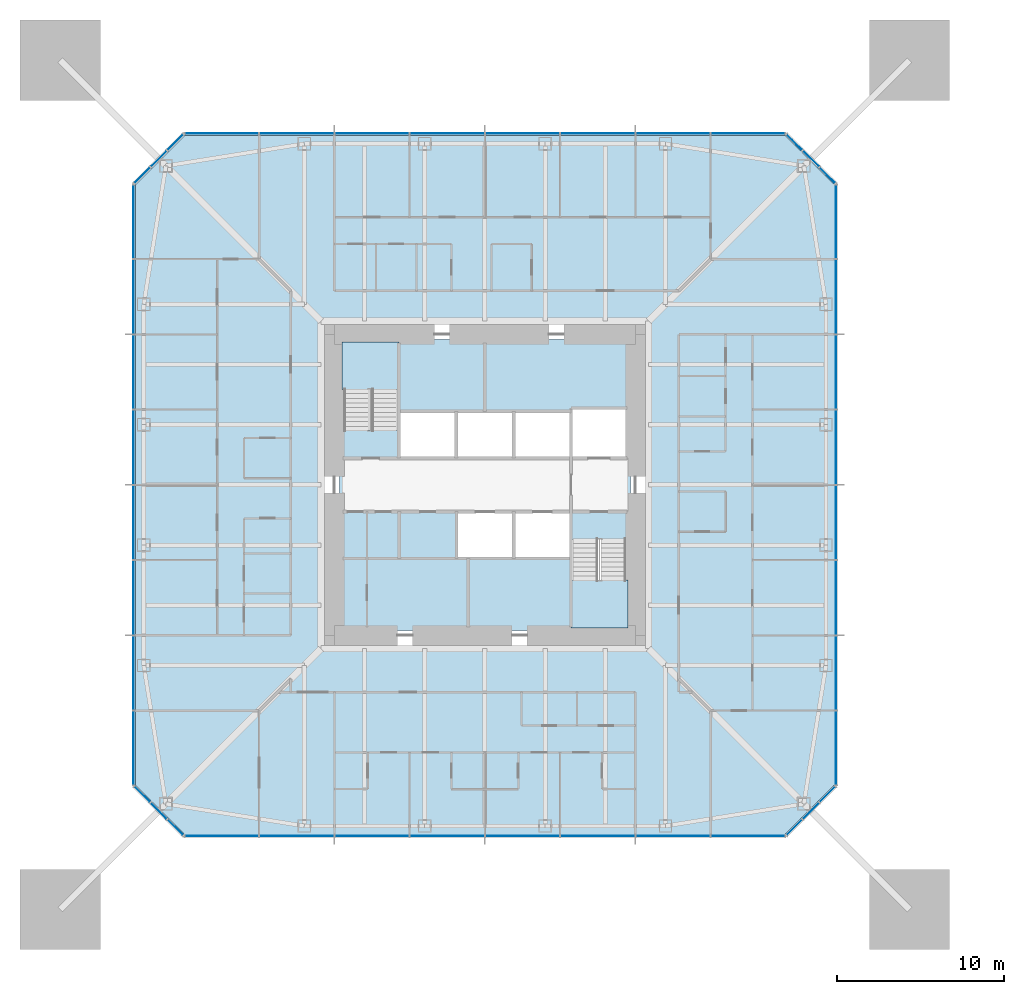
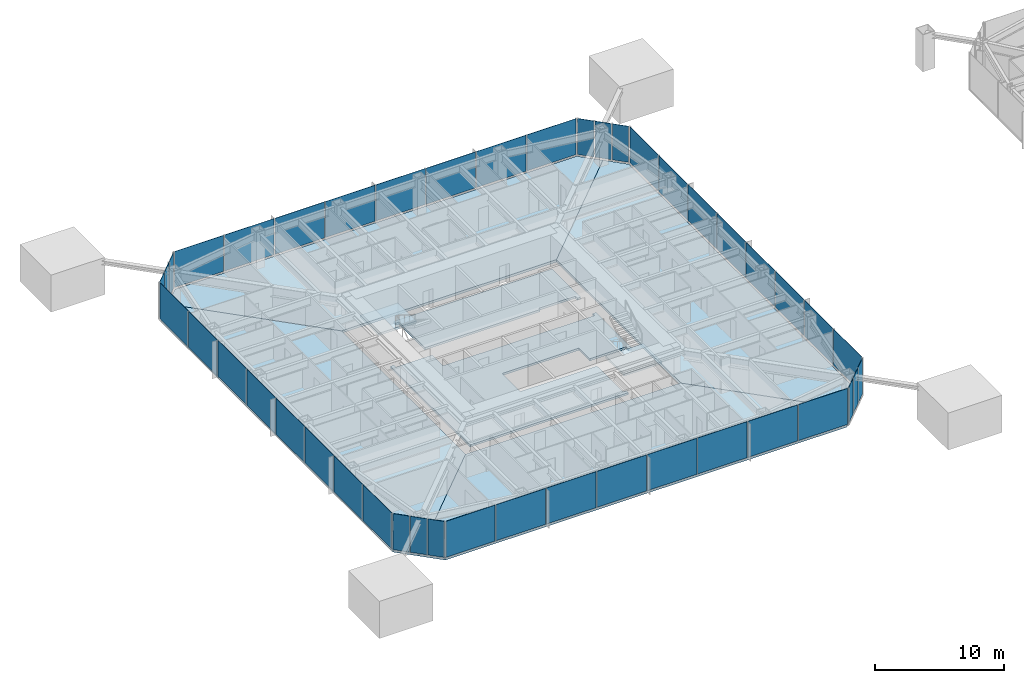
# One storey, part 11 of 25: 44 plates, 8 slabs, 10 elements without a shape of their own.
"""IFC4 building model written with IfcOpenShell, lengths in metres."""

from ifc_helpers import new_model, si_unit, direction, frame, origin, origin_2d, place, context, subcontext, project, spatial, polyline, rectangle, outline, extrude, material, layer, layer_set, constituent, constituent_set, type_object, element, aggregate, save


model = new_model("IFC4")

# Units and contexts
model_context = context("Model", 3, precision=1e-05, world=origin(), true_north=direction((0.0, 1.0)))
body_context = subcontext(model_context, "Body", "Model", "MODEL_VIEW")
ifc_project = project(units=[si_unit("LENGTHUNIT", "METRE"), si_unit("AREAUNIT", "SQUARE_METRE"), si_unit("VOLUMEUNIT", "CUBIC_METRE"), si_unit("PLANEANGLEUNIT", "RADIAN"), si_unit("MASSUNIT", "GRAM", prefix="KILO")], contexts=[model_context])

# Site, building, storey
site_placement = place(None, origin())
site = spatial("IfcSite", under=ifc_project, at=site_placement, CompositionType="ELEMENT")
building_placement = place(site_placement, origin())
building = spatial("IfcBuilding", under=site, at=building_placement, Name="Iwan Alto Co-Living Towers", CompositionType="ELEMENT")
storey_placement = place(building_placement, frame((0.0, 0.0, 84.0)))
storey = spatial("IfcBuildingStorey", under=building, at=storey_placement, Name="L22", CompositionType="ELEMENT", Elevation=84.0)

# Slabs
ifc_material_1 = material(Name="Concrete f'c 30 MPa", Category="concrete")
ifc_layer_1 = layer(ifc_material_1, 0.199951171875)
ifc_layer_set_1 = layer_set([ifc_layer_1], Name="CORE FLOOR SLAB 200")
slab_type_1 = type_object("IfcSlabType", Name="CORE FLOOR SLAB 200", PredefinedType="FLOOR", material=ifc_layer_set_1)
slab_1_placement = place(storey_placement, frame((0.0, 0.0, -0.199951171875)))
element("IfcSlab", 1, at=slab_1_placement, inside=storey, type_object=slab_type_1, Name="T1 core floor L22", PredefinedType="FLOOR", context=body_context, shape_type="SweptSolid", body=[
    extrude(outline(polyline([(5.14990234375, -1.60009765625), (1.72509765625, -1.60009765625), (-1.699951171875, -1.60009765625), (-1.699951171875, -4.39990234375), (1.72509765625, -4.39990234375), (5.14990234375, -4.39990234375), (5.14990234375, -8.39990234375), (5.4599609375, -8.39990234375), (5.4599609375, -8.699951171875), (-8.699951171875, -8.699951171875), (-8.699951171875, 3.580078125), (-8.39990234375, 3.580078125), (-8.39990234375, 3.27001953125), (-5.14990234375, 3.27001953125), (-5.14990234375, 1.60009765625), (-1.717041015625, 1.60009765625), (1.717041015625, 1.60009765625), (5.14990234375, 1.60009765625), (8.39990234375, 1.60009765625), (8.39990234375, 1.909912109375), (8.699951171875, 1.909912109375), (8.699951171875, -3.580078125), (8.39990234375, -3.580078125), (8.39990234375, -3.27001953125), (5.14990234375, -3.27001953125), (5.14990234375, -1.60009765625)])), origin(), (0.0, 0.0, 1.0), 0.199951171875),
])
slab_2_placement = place(storey_placement, frame((0.0, 0.0, -0.199951171875)))
element("IfcSlab", 2, at=slab_2_placement, inside=storey, type_object=slab_type_1, Name="T1 core floor L22", PredefinedType="FLOOR", context=body_context, shape_type="SweptSolid", body=[
    extrude(outline(polyline([(1.717041015625, 4.39990234375), (-1.717041015625, 4.39990234375), (-5.14990234375, 4.39990234375), (-5.14990234375, 8.39990234375), (-5.4599609375, 8.39990234375), (-5.4599609375, 8.699951171875), (8.699951171875, 8.699951171875), (8.699951171875, 4.2900390625), (8.39990234375, 4.2900390625), (8.39990234375, 4.60009765625), (5.14990234375, 4.60009765625), (5.14990234375, 4.39990234375), (1.717041015625, 4.39990234375)])), origin(), (0.0, 0.0, 1.0), 0.199951171875),
])

# Curtain wall, plates
ifc_material_2 = material(Name="Bronze aluminium unitised frame", Category="aluminium")
curtain_wall_type_1 = type_object("IfcCurtainWallType", Name="CURTAIN WALL CW-A", PredefinedType="NOTDEFINED", material=ifc_material_2)
curtain_wall_1_placement = place(storey_placement, origin())
curtain_wall_1 = element("IfcCurtainWall", 3, at=curtain_wall_1_placement, inside=storey, type_object=curtain_wall_type_1, Name="T1 curtain wall S L22", PredefinedType="NOTDEFINED")
ifc_material_3 = material(Name="Bronze-tinted insulating glass", Category="glass")
ifc_layer_2 = layer(ifc_material_3, 0.031982421875)
ifc_layer_set_2 = layer_set([ifc_layer_2], Name="CW-A PANEL TINTED IGU 32")
plate_type_1 = type_object("IfcPlateType", Name="CW-A PANEL TINTED IGU 32", PredefinedType="CURTAIN_PANEL", material=ifc_layer_set_2)
plate_1_placement = place(storey_placement, frame((-15.72998046875, -21.0, 0.10009765625), z_axis=(0.0, 0.0, 1.0), x_axis=(1.0, 0.0, 0.0)))
plate_1 = element("IfcPlate", 4, at=plate_1_placement, type_object=plate_type_1, Name="CW-A panel 1.1", PredefinedType="CURTAIN_PANEL", context=body_context, shape_type="SweptSolid", body=[
    extrude(rectangle(XDim=4.3798828125, YDim=0.031982421875, at=origin_2d()), origin(), (0.0, 0.0, 1.0), 3.39990234375),
])
plate_2_placement = place(storey_placement, frame((-11.25, -21.0, 0.10009765625), z_axis=(0.0, 0.0, 1.0), x_axis=(1.0, 0.0, 0.0)))
plate_2 = element("IfcPlate", 5, at=plate_2_placement, type_object=plate_type_1, Name="CW-A panel 2.1", PredefinedType="CURTAIN_PANEL", context=body_context, shape_type="SweptSolid", body=[
    extrude(rectangle(XDim=4.419921875, YDim=0.031982421875, at=origin_2d()), origin(), (0.0, 0.0, 1.0), 3.39990234375),
])
plate_3_placement = place(storey_placement, frame((-6.75, -21.0, 0.10009765625), z_axis=(0.0, 0.0, 1.0), x_axis=(1.0, 0.0, 0.0)))
plate_3 = element("IfcPlate", 6, at=plate_3_placement, type_object=plate_type_1, Name="CW-A panel 3.1", PredefinedType="CURTAIN_PANEL", context=body_context, shape_type="SweptSolid", body=[
    extrude(rectangle(XDim=4.419921875, YDim=0.031982421875, at=origin_2d()), origin(), (0.0, 0.0, 1.0), 3.39990234375),
])
plate_4_placement = place(storey_placement, frame((-2.25, -21.0, 0.10009765625), z_axis=(0.0, 0.0, 1.0), x_axis=(1.0, 0.0, 0.0)))
plate_4 = element("IfcPlate", 7, at=plate_4_placement, type_object=plate_type_1, Name="CW-A panel 4.1", PredefinedType="CURTAIN_PANEL", context=body_context, shape_type="SweptSolid", body=[
    extrude(rectangle(XDim=4.419921875, YDim=0.031982421875, at=origin_2d()), origin(), (0.0, 0.0, 1.0), 3.39990234375),
])
plate_5_placement = place(storey_placement, frame((2.25, -21.0, 0.10009765625), z_axis=(0.0, 0.0, 1.0), x_axis=(1.0, 0.0, 0.0)))
plate_5 = element("IfcPlate", 8, at=plate_5_placement, type_object=plate_type_1, Name="CW-A panel 5.1", PredefinedType="CURTAIN_PANEL", context=body_context, shape_type="SweptSolid", body=[
    extrude(rectangle(XDim=4.419921875, YDim=0.031982421875, at=origin_2d()), origin(), (0.0, 0.0, 1.0), 3.39990234375),
])
plate_6_placement = place(storey_placement, frame((6.75, -21.0, 0.10009765625), z_axis=(0.0, 0.0, 1.0), x_axis=(1.0, 0.0, 0.0)))
plate_6 = element("IfcPlate", 9, at=plate_6_placement, type_object=plate_type_1, Name="CW-A panel 6.1", PredefinedType="CURTAIN_PANEL", context=body_context, shape_type="SweptSolid", body=[
    extrude(rectangle(XDim=4.419921875, YDim=0.031982421875, at=origin_2d()), origin(), (0.0, 0.0, 1.0), 3.39990234375),
])
plate_7_placement = place(storey_placement, frame((11.25, -21.0, 0.10009765625), z_axis=(0.0, 0.0, 1.0), x_axis=(1.0, 0.0, 0.0)))
plate_7 = element("IfcPlate", 10, at=plate_7_placement, type_object=plate_type_1, Name="CW-A panel 7.1", PredefinedType="CURTAIN_PANEL", context=body_context, shape_type="SweptSolid", body=[
    extrude(rectangle(XDim=4.419921875, YDim=0.031982421875, at=origin_2d()), origin(), (0.0, 0.0, 1.0), 3.39990234375),
])
plate_8_placement = place(storey_placement, frame((15.72998046875, -21.0, 0.10009765625), z_axis=(0.0, 0.0, 1.0), x_axis=(1.0, 0.0, 0.0)))
plate_8 = element("IfcPlate", 11, at=plate_8_placement, type_object=plate_type_1, Name="CW-A panel 8.1", PredefinedType="CURTAIN_PANEL", context=body_context, shape_type="SweptSolid", body=[
    extrude(rectangle(XDim=4.3798828125, YDim=0.031982421875, at=origin_2d()), origin(), (0.0, 0.0, 1.0), 3.39990234375),
])
aggregate(curtain_wall_1, [plate_1, plate_2, plate_3, plate_4, plate_5, plate_6, plate_7, plate_8])

curtain_wall_2_placement = place(storey_placement, origin())
curtain_wall_2 = element("IfcCurtainWall", 12, at=curtain_wall_2_placement, inside=storey, type_object=curtain_wall_type_1, Name="T1 curtain wall E L22", PredefinedType="NOTDEFINED")
plate_9_placement = place(storey_placement, frame((21.0, -15.72998046875, 0.10009765625), z_axis=(0.0, 0.0, 1.0), x_axis=(0.0, 1.0, 0.0)))
plate_9 = element("IfcPlate", 13, at=plate_9_placement, type_object=plate_type_1, Name="CW-A panel 1.1", PredefinedType="CURTAIN_PANEL", context=body_context, shape_type="SweptSolid", body=[
    extrude(rectangle(XDim=4.3798828125, YDim=0.031982421875, at=origin_2d()), origin(), (0.0, 0.0, 1.0), 3.39990234375),
])
plate_10_placement = place(storey_placement, frame((21.0, -11.25, 0.10009765625), z_axis=(0.0, 0.0, 1.0), x_axis=(0.0, 1.0, 0.0)))
plate_10 = element("IfcPlate", 14, at=plate_10_placement, type_object=plate_type_1, Name="CW-A panel 2.1", PredefinedType="CURTAIN_PANEL", context=body_context, shape_type="SweptSolid", body=[
    extrude(rectangle(XDim=4.419921875, YDim=0.031982421875, at=origin_2d()), origin(), (0.0, 0.0, 1.0), 3.39990234375),
])
plate_11_placement = place(storey_placement, frame((21.0, -6.75, 0.10009765625), z_axis=(0.0, 0.0, 1.0), x_axis=(0.0, 1.0, 0.0)))
plate_11 = element("IfcPlate", 15, at=plate_11_placement, type_object=plate_type_1, Name="CW-A panel 3.1", PredefinedType="CURTAIN_PANEL", context=body_context, shape_type="SweptSolid", body=[
    extrude(rectangle(XDim=4.419921875, YDim=0.031982421875, at=origin_2d()), origin(), (0.0, 0.0, 1.0), 3.39990234375),
])
plate_12_placement = place(storey_placement, frame((21.0, -2.25, 0.10009765625), z_axis=(0.0, 0.0, 1.0), x_axis=(0.0, 1.0, 0.0)))
plate_12 = element("IfcPlate", 16, at=plate_12_placement, type_object=plate_type_1, Name="CW-A panel 4.1", PredefinedType="CURTAIN_PANEL", context=body_context, shape_type="SweptSolid", body=[
    extrude(rectangle(XDim=4.419921875, YDim=0.031982421875, at=origin_2d()), origin(), (0.0, 0.0, 1.0), 3.39990234375),
])
plate_13_placement = place(storey_placement, frame((21.0, 2.25, 0.10009765625), z_axis=(0.0, 0.0, 1.0), x_axis=(0.0, 1.0, 0.0)))
plate_13 = element("IfcPlate", 17, at=plate_13_placement, type_object=plate_type_1, Name="CW-A panel 5.1", PredefinedType="CURTAIN_PANEL", context=body_context, shape_type="SweptSolid", body=[
    extrude(rectangle(XDim=4.419921875, YDim=0.031982421875, at=origin_2d()), origin(), (0.0, 0.0, 1.0), 3.39990234375),
])
plate_14_placement = place(storey_placement, frame((21.0, 6.75, 0.10009765625), z_axis=(0.0, 0.0, 1.0), x_axis=(0.0, 1.0, 0.0)))
plate_14 = element("IfcPlate", 18, at=plate_14_placement, type_object=plate_type_1, Name="CW-A panel 6.1", PredefinedType="CURTAIN_PANEL", context=body_context, shape_type="SweptSolid", body=[
    extrude(rectangle(XDim=4.419921875, YDim=0.031982421875, at=origin_2d()), origin(), (0.0, 0.0, 1.0), 3.39990234375),
])
plate_15_placement = place(storey_placement, frame((21.0, 11.25, 0.10009765625), z_axis=(0.0, 0.0, 1.0), x_axis=(0.0, 1.0, 0.0)))
plate_15 = element("IfcPlate", 19, at=plate_15_placement, type_object=plate_type_1, Name="CW-A panel 7.1", PredefinedType="CURTAIN_PANEL", context=body_context, shape_type="SweptSolid", body=[
    extrude(rectangle(XDim=4.419921875, YDim=0.031982421875, at=origin_2d()), origin(), (0.0, 0.0, 1.0), 3.39990234375),
])
plate_16_placement = place(storey_placement, frame((21.0, 15.72998046875, 0.10009765625), z_axis=(0.0, 0.0, 1.0), x_axis=(0.0, 1.0, 0.0)))
plate_16 = element("IfcPlate", 20, at=plate_16_placement, type_object=plate_type_1, Name="CW-A panel 8.1", PredefinedType="CURTAIN_PANEL", context=body_context, shape_type="SweptSolid", body=[
    extrude(rectangle(XDim=4.3798828125, YDim=0.031982421875, at=origin_2d()), origin(), (0.0, 0.0, 1.0), 3.39990234375),
])
aggregate(curtain_wall_2, [plate_9, plate_10, plate_11, plate_12, plate_13, plate_14, plate_15, plate_16])

curtain_wall_3_placement = place(storey_placement, origin())
curtain_wall_3 = element("IfcCurtainWall", 21, at=curtain_wall_3_placement, inside=storey, type_object=curtain_wall_type_1, Name="T1 curtain wall N L22", PredefinedType="NOTDEFINED")
plate_17_placement = place(storey_placement, frame((15.72998046875, 21.0, 0.10009765625), z_axis=(0.0, 0.0, 1.0), x_axis=(-1.0, 0.0, 0.0)))
plate_17 = element("IfcPlate", 22, at=plate_17_placement, type_object=plate_type_1, Name="CW-A panel 1.1", PredefinedType="CURTAIN_PANEL", context=body_context, shape_type="SweptSolid", body=[
    extrude(rectangle(XDim=4.3798828125, YDim=0.031982421875, at=origin_2d()), origin(), (0.0, 0.0, 1.0), 3.39990234375),
])
plate_18_placement = place(storey_placement, frame((11.25, 21.0, 0.10009765625), z_axis=(0.0, 0.0, 1.0), x_axis=(-1.0, 0.0, 0.0)))
plate_18 = element("IfcPlate", 23, at=plate_18_placement, type_object=plate_type_1, Name="CW-A panel 2.1", PredefinedType="CURTAIN_PANEL", context=body_context, shape_type="SweptSolid", body=[
    extrude(rectangle(XDim=4.419921875, YDim=0.031982421875, at=origin_2d()), origin(), (0.0, 0.0, 1.0), 3.39990234375),
])
plate_19_placement = place(storey_placement, frame((6.75, 21.0, 0.10009765625), z_axis=(0.0, 0.0, 1.0), x_axis=(-1.0, 0.0, 0.0)))
plate_19 = element("IfcPlate", 24, at=plate_19_placement, type_object=plate_type_1, Name="CW-A panel 3.1", PredefinedType="CURTAIN_PANEL", context=body_context, shape_type="SweptSolid", body=[
    extrude(rectangle(XDim=4.419921875, YDim=0.031982421875, at=origin_2d()), origin(), (0.0, 0.0, 1.0), 3.39990234375),
])
plate_20_placement = place(storey_placement, frame((2.25, 21.0, 0.10009765625), z_axis=(0.0, 0.0, 1.0), x_axis=(-1.0, 0.0, 0.0)))
plate_20 = element("IfcPlate", 25, at=plate_20_placement, type_object=plate_type_1, Name="CW-A panel 4.1", PredefinedType="CURTAIN_PANEL", context=body_context, shape_type="SweptSolid", body=[
    extrude(rectangle(XDim=4.419921875, YDim=0.031982421875, at=origin_2d()), origin(), (0.0, 0.0, 1.0), 3.39990234375),
])
plate_21_placement = place(storey_placement, frame((-2.25, 21.0, 0.10009765625), z_axis=(0.0, 0.0, 1.0), x_axis=(-1.0, 0.0, 0.0)))
plate_21 = element("IfcPlate", 26, at=plate_21_placement, type_object=plate_type_1, Name="CW-A panel 5.1", PredefinedType="CURTAIN_PANEL", context=body_context, shape_type="SweptSolid", body=[
    extrude(rectangle(XDim=4.419921875, YDim=0.031982421875, at=origin_2d()), origin(), (0.0, 0.0, 1.0), 3.39990234375),
])
plate_22_placement = place(storey_placement, frame((-6.75, 21.0, 0.10009765625), z_axis=(0.0, 0.0, 1.0), x_axis=(-1.0, 0.0, 0.0)))
plate_22 = element("IfcPlate", 27, at=plate_22_placement, type_object=plate_type_1, Name="CW-A panel 6.1", PredefinedType="CURTAIN_PANEL", context=body_context, shape_type="SweptSolid", body=[
    extrude(rectangle(XDim=4.419921875, YDim=0.031982421875, at=origin_2d()), origin(), (0.0, 0.0, 1.0), 3.39990234375),
])
plate_23_placement = place(storey_placement, frame((-11.25, 21.0, 0.10009765625), z_axis=(0.0, 0.0, 1.0), x_axis=(-1.0, 0.0, 0.0)))
plate_23 = element("IfcPlate", 28, at=plate_23_placement, type_object=plate_type_1, Name="CW-A panel 7.1", PredefinedType="CURTAIN_PANEL", context=body_context, shape_type="SweptSolid", body=[
    extrude(rectangle(XDim=4.419921875, YDim=0.031982421875, at=origin_2d()), origin(), (0.0, 0.0, 1.0), 3.39990234375),
])
plate_24_placement = place(storey_placement, frame((-15.72998046875, 21.0, 0.10009765625), z_axis=(0.0, 0.0, 1.0), x_axis=(-1.0, 0.0, 0.0)))
plate_24 = element("IfcPlate", 29, at=plate_24_placement, type_object=plate_type_1, Name="CW-A panel 8.1", PredefinedType="CURTAIN_PANEL", context=body_context, shape_type="SweptSolid", body=[
    extrude(rectangle(XDim=4.3798828125, YDim=0.031982421875, at=origin_2d()), origin(), (0.0, 0.0, 1.0), 3.39990234375),
])
aggregate(curtain_wall_3, [plate_17, plate_18, plate_19, plate_20, plate_21, plate_22, plate_23, plate_24])

curtain_wall_4_placement = place(storey_placement, origin())
curtain_wall_4 = element("IfcCurtainWall", 30, at=curtain_wall_4_placement, inside=storey, type_object=curtain_wall_type_1, Name="T1 curtain wall W L22", PredefinedType="NOTDEFINED")
plate_25_placement = place(storey_placement, frame((-21.0, 15.72998046875, 0.10009765625), z_axis=(0.0, 0.0, 1.0), x_axis=(0.0, -1.0, 0.0)))
plate_25 = element("IfcPlate", 31, at=plate_25_placement, type_object=plate_type_1, Name="CW-A panel 1.1", PredefinedType="CURTAIN_PANEL", context=body_context, shape_type="SweptSolid", body=[
    extrude(rectangle(XDim=4.3798828125, YDim=0.031982421875, at=origin_2d()), origin(), (0.0, 0.0, 1.0), 3.39990234375),
])
plate_26_placement = place(storey_placement, frame((-21.0, 11.25, 0.10009765625), z_axis=(0.0, 0.0, 1.0), x_axis=(0.0, -1.0, 0.0)))
plate_26 = element("IfcPlate", 32, at=plate_26_placement, type_object=plate_type_1, Name="CW-A panel 2.1", PredefinedType="CURTAIN_PANEL", context=body_context, shape_type="SweptSolid", body=[
    extrude(rectangle(XDim=4.419921875, YDim=0.031982421875, at=origin_2d()), origin(), (0.0, 0.0, 1.0), 3.39990234375),
])
plate_27_placement = place(storey_placement, frame((-21.0, 6.75, 0.10009765625), z_axis=(0.0, 0.0, 1.0), x_axis=(0.0, -1.0, 0.0)))
plate_27 = element("IfcPlate", 33, at=plate_27_placement, type_object=plate_type_1, Name="CW-A panel 3.1", PredefinedType="CURTAIN_PANEL", context=body_context, shape_type="SweptSolid", body=[
    extrude(rectangle(XDim=4.419921875, YDim=0.031982421875, at=origin_2d()), origin(), (0.0, 0.0, 1.0), 3.39990234375),
])
plate_28_placement = place(storey_placement, frame((-21.0, 2.25, 0.10009765625), z_axis=(0.0, 0.0, 1.0), x_axis=(0.0, -1.0, 0.0)))
plate_28 = element("IfcPlate", 34, at=plate_28_placement, type_object=plate_type_1, Name="CW-A panel 4.1", PredefinedType="CURTAIN_PANEL", context=body_context, shape_type="SweptSolid", body=[
    extrude(rectangle(XDim=4.419921875, YDim=0.031982421875, at=origin_2d()), origin(), (0.0, 0.0, 1.0), 3.39990234375),
])
plate_29_placement = place(storey_placement, frame((-21.0, -2.25, 0.10009765625), z_axis=(0.0, 0.0, 1.0), x_axis=(0.0, -1.0, 0.0)))
plate_29 = element("IfcPlate", 35, at=plate_29_placement, type_object=plate_type_1, Name="CW-A panel 5.1", PredefinedType="CURTAIN_PANEL", context=body_context, shape_type="SweptSolid", body=[
    extrude(rectangle(XDim=4.419921875, YDim=0.031982421875, at=origin_2d()), origin(), (0.0, 0.0, 1.0), 3.39990234375),
])
plate_30_placement = place(storey_placement, frame((-21.0, -6.75, 0.10009765625), z_axis=(0.0, 0.0, 1.0), x_axis=(0.0, -1.0, 0.0)))
plate_30 = element("IfcPlate", 36, at=plate_30_placement, type_object=plate_type_1, Name="CW-A panel 6.1", PredefinedType="CURTAIN_PANEL", context=body_context, shape_type="SweptSolid", body=[
    extrude(rectangle(XDim=4.419921875, YDim=0.031982421875, at=origin_2d()), origin(), (0.0, 0.0, 1.0), 3.39990234375),
])
plate_31_placement = place(storey_placement, frame((-21.0, -11.25, 0.10009765625), z_axis=(0.0, 0.0, 1.0), x_axis=(0.0, -1.0, 0.0)))
plate_31 = element("IfcPlate", 37, at=plate_31_placement, type_object=plate_type_1, Name="CW-A panel 7.1", PredefinedType="CURTAIN_PANEL", context=body_context, shape_type="SweptSolid", body=[
    extrude(rectangle(XDim=4.419921875, YDim=0.031982421875, at=origin_2d()), origin(), (0.0, 0.0, 1.0), 3.39990234375),
])
plate_32_placement = place(storey_placement, frame((-21.0, -15.72998046875, 0.10009765625), z_axis=(0.0, 0.0, 1.0), x_axis=(0.0, -1.0, 0.0)))
plate_32 = element("IfcPlate", 38, at=plate_32_placement, type_object=plate_type_1, Name="CW-A panel 8.1", PredefinedType="CURTAIN_PANEL", context=body_context, shape_type="SweptSolid", body=[
    extrude(rectangle(XDim=4.3798828125, YDim=0.031982421875, at=origin_2d()), origin(), (0.0, 0.0, 1.0), 3.39990234375),
])
aggregate(curtain_wall_4, [plate_25, plate_26, plate_27, plate_28, plate_29, plate_30, plate_31, plate_32])

ifc_material_4 = material(Name="Bronze aluminium unitised frame", Category="aluminium")
curtain_wall_type_2 = type_object("IfcCurtainWallType", Name="CURTAIN WALL CW-B", PredefinedType="NOTDEFINED", material=ifc_material_4)
curtain_wall_5_placement = place(storey_placement, origin())
curtain_wall_5 = element("IfcCurtainWall", 39, at=curtain_wall_5_placement, inside=storey, type_object=curtain_wall_type_2, Name="T1 chamfer curtain wall SE L22", PredefinedType="NOTDEFINED")
ifc_material_5 = material(Name="Bronze-tinted insulating glass", Category="glass")
ifc_layer_3 = layer(ifc_material_5, 0.031982421875)
ifc_layer_set_3 = layer_set([ifc_layer_3], Name="CW-B PANEL TINTED IGU 32")
plate_type_2 = type_object("IfcPlateType", Name="CW-B PANEL TINTED IGU 32", PredefinedType="CURTAIN_PANEL", material=ifc_layer_set_3)
plate_33_placement = place(storey_placement, frame((18.51416015625, -20.48583984375, 0.10009765625), z_axis=(0.0, 0.0, 1.0), x_axis=(0.707106781187, 0.707106781187, 0.0)))
plate_33 = element("IfcPlate", 40, at=plate_33_placement, type_object=plate_type_2, Name="CW-B panel 1.1", PredefinedType="CURTAIN_PANEL", context=body_context, shape_type="SweptSolid", body=[
    extrude(rectangle(XDim=1.294189453125, YDim=0.031982421875, at=origin_2d()), origin(), (0.0, 0.0, 1.0), 3.39990234375),
])
plate_34_placement = place(storey_placement, frame((19.5, -19.5, 0.10009765625), z_axis=(0.0, 0.0, 1.0), x_axis=(0.707106781187, 0.707106781187, 0.0)))
plate_34 = element("IfcPlate", 41, at=plate_34_placement, type_object=plate_type_2, Name="CW-B panel 2.1", PredefinedType="CURTAIN_PANEL", context=body_context, shape_type="SweptSolid", body=[
    extrude(rectangle(XDim=1.334228515625, YDim=0.031982421875, at=origin_2d()), origin(), (0.0, 0.0, 1.0), 3.39990234375),
])
plate_35_placement = place(storey_placement, frame((20.48583984375, -18.51416015625, 0.10009765625), z_axis=(0.0, 0.0, 1.0), x_axis=(0.707106781187, 0.707106781187, 0.0)))
plate_35 = element("IfcPlate", 42, at=plate_35_placement, type_object=plate_type_2, Name="CW-B panel 3.1", PredefinedType="CURTAIN_PANEL", context=body_context, shape_type="SweptSolid", body=[
    extrude(rectangle(XDim=1.294189453125, YDim=0.031982421875, at=origin_2d()), origin(), (0.0, 0.0, 1.0), 3.39990234375),
])
aggregate(curtain_wall_5, [plate_33, plate_34, plate_35])

curtain_wall_6_placement = place(storey_placement, origin())
curtain_wall_6 = element("IfcCurtainWall", 43, at=curtain_wall_6_placement, inside=storey, type_object=curtain_wall_type_2, Name="T1 chamfer curtain wall NE L22", PredefinedType="NOTDEFINED")
plate_36_placement = place(storey_placement, frame((20.48583984375, 18.51416015625, 0.10009765625), z_axis=(0.0, 0.0, 1.0), x_axis=(-0.707106781187, 0.707106781187, 0.0)))
plate_36 = element("IfcPlate", 44, at=plate_36_placement, type_object=plate_type_2, Name="CW-B panel 1.1", PredefinedType="CURTAIN_PANEL", context=body_context, shape_type="SweptSolid", body=[
    extrude(rectangle(XDim=1.294189453125, YDim=0.031982421875, at=origin_2d()), origin(), (0.0, 0.0, 1.0), 3.39990234375),
])
plate_37_placement = place(storey_placement, frame((19.5, 19.5, 0.10009765625), z_axis=(0.0, 0.0, 1.0), x_axis=(-0.707106781187, 0.707106781187, 0.0)))
plate_37 = element("IfcPlate", 45, at=plate_37_placement, type_object=plate_type_2, Name="CW-B panel 2.1", PredefinedType="CURTAIN_PANEL", context=body_context, shape_type="SweptSolid", body=[
    extrude(rectangle(XDim=1.334228515625, YDim=0.031982421875, at=origin_2d()), origin(), (0.0, 0.0, 1.0), 3.39990234375),
])
plate_38_placement = place(storey_placement, frame((18.51416015625, 20.48583984375, 0.10009765625), z_axis=(0.0, 0.0, 1.0), x_axis=(-0.707106781187, 0.707106781187, 0.0)))
plate_38 = element("IfcPlate", 46, at=plate_38_placement, type_object=plate_type_2, Name="CW-B panel 3.1", PredefinedType="CURTAIN_PANEL", context=body_context, shape_type="SweptSolid", body=[
    extrude(rectangle(XDim=1.294189453125, YDim=0.031982421875, at=origin_2d()), origin(), (0.0, 0.0, 1.0), 3.39990234375),
])
aggregate(curtain_wall_6, [plate_36, plate_37, plate_38])

curtain_wall_7_placement = place(storey_placement, origin())
curtain_wall_7 = element("IfcCurtainWall", 47, at=curtain_wall_7_placement, inside=storey, type_object=curtain_wall_type_2, Name="T1 chamfer curtain wall NW L22", PredefinedType="NOTDEFINED")
plate_39_placement = place(storey_placement, frame((-18.51416015625, 20.48583984375, 0.10009765625), z_axis=(0.0, 0.0, 1.0), x_axis=(-0.707106781187, -0.707106781187, 0.0)))
plate_39 = element("IfcPlate", 48, at=plate_39_placement, type_object=plate_type_2, Name="CW-B panel 1.1", PredefinedType="CURTAIN_PANEL", context=body_context, shape_type="SweptSolid", body=[
    extrude(rectangle(XDim=1.294189453125, YDim=0.031982421875, at=origin_2d()), origin(), (0.0, 0.0, 1.0), 3.39990234375),
])
plate_40_placement = place(storey_placement, frame((-19.5, 19.5, 0.10009765625), z_axis=(0.0, 0.0, 1.0), x_axis=(-0.707106781187, -0.707106781187, 0.0)))
plate_40 = element("IfcPlate", 49, at=plate_40_placement, type_object=plate_type_2, Name="CW-B panel 2.1", PredefinedType="CURTAIN_PANEL", context=body_context, shape_type="SweptSolid", body=[
    extrude(rectangle(XDim=1.334228515625, YDim=0.031982421875, at=origin_2d()), origin(), (0.0, 0.0, 1.0), 3.39990234375),
])
plate_41_placement = place(storey_placement, frame((-20.48583984375, 18.51416015625, 0.10009765625), z_axis=(0.0, 0.0, 1.0), x_axis=(-0.707106781187, -0.707106781187, 0.0)))
plate_41 = element("IfcPlate", 50, at=plate_41_placement, type_object=plate_type_2, Name="CW-B panel 3.1", PredefinedType="CURTAIN_PANEL", context=body_context, shape_type="SweptSolid", body=[
    extrude(rectangle(XDim=1.294189453125, YDim=0.031982421875, at=origin_2d()), origin(), (0.0, 0.0, 1.0), 3.39990234375),
])
aggregate(curtain_wall_7, [plate_39, plate_40, plate_41])

curtain_wall_8_placement = place(storey_placement, origin())
curtain_wall_8 = element("IfcCurtainWall", 51, at=curtain_wall_8_placement, inside=storey, type_object=curtain_wall_type_2, Name="T1 chamfer curtain wall SW L22", PredefinedType="NOTDEFINED")
plate_42_placement = place(storey_placement, frame((-20.48583984375, -18.51416015625, 0.10009765625), z_axis=(0.0, 0.0, 1.0), x_axis=(0.707106781187, -0.707106781187, 0.0)))
plate_42 = element("IfcPlate", 52, at=plate_42_placement, type_object=plate_type_2, Name="CW-B panel 1.1", PredefinedType="CURTAIN_PANEL", context=body_context, shape_type="SweptSolid", body=[
    extrude(rectangle(XDim=1.294189453125, YDim=0.031982421875, at=origin_2d()), origin(), (0.0, 0.0, 1.0), 3.39990234375),
])
plate_43_placement = place(storey_placement, frame((-19.5, -19.5, 0.10009765625), z_axis=(0.0, 0.0, 1.0), x_axis=(0.707106781187, -0.707106781187, 0.0)))
plate_43 = element("IfcPlate", 53, at=plate_43_placement, type_object=plate_type_2, Name="CW-B panel 2.1", PredefinedType="CURTAIN_PANEL", context=body_context, shape_type="SweptSolid", body=[
    extrude(rectangle(XDim=1.334228515625, YDim=0.031982421875, at=origin_2d()), origin(), (0.0, 0.0, 1.0), 3.39990234375),
])
plate_44_placement = place(storey_placement, frame((-18.51416015625, -20.48583984375, 0.10009765625), z_axis=(0.0, 0.0, 1.0), x_axis=(0.707106781187, -0.707106781187, 0.0)))
plate_44 = element("IfcPlate", 54, at=plate_44_placement, type_object=plate_type_2, Name="CW-B panel 3.1", PredefinedType="CURTAIN_PANEL", context=body_context, shape_type="SweptSolid", body=[
    extrude(rectangle(XDim=1.294189453125, YDim=0.031982421875, at=origin_2d()), origin(), (0.0, 0.0, 1.0), 3.39990234375),
])
aggregate(curtain_wall_8, [plate_42, plate_43, plate_44])

# Stair, slab
ifc_material_6 = material(Name="Steel ASTM A36", Category="steel")
ifc_constituent_1 = constituent(ifc_material_6, Name="Stringers", Category="LoadBearing")
ifc_material_7 = material(Name="Concrete f'c 30 MPa", Category="concrete")
ifc_constituent_2 = constituent(ifc_material_7, Name="Tread fill", Category="Finish")
ifc_constituent_set = constituent_set(constituents=[ifc_constituent_1, ifc_constituent_2], Name="STAIR 3500 TWO-FLIGHT T1 CORE")
stair_type = type_object("IfcStairType", Name="STAIR 3500 TWO-FLIGHT T1 CORE", PredefinedType="HALF_TURN_STAIR", material=ifc_constituent_set)
stair_1_placement = place(storey_placement, origin())
stair_1 = element("IfcStair", 55, at=stair_1_placement, inside=storey, type_object=stair_type, Name="Stair T1-S1 L22 to L23", PredefinedType="HALF_TURN_STAIR")
ifc_material_8 = material(Name="Concrete f'c 30 MPa", Category="concrete")
ifc_layer_4 = layer(ifc_material_8, 0.199951171875)
ifc_layer_set_4 = layer_set([ifc_layer_4], Name="STAIR LANDING 200")
slab_type_2 = type_object("IfcSlabType", Name="STAIR LANDING 200", PredefinedType="LANDING", material=ifc_layer_set_4)
slab_3_placement = place(storey_placement, frame((0.0, 0.0, 1.550048828125)))
slab_3 = element("IfcSlab", 56, at=slab_3_placement, type_object=slab_type_2, Name="T1-S1 landing 1", PredefinedType="LANDING", context=body_context, shape_type="SweptSolid", body=[
    extrude(outline(polyline([(-8.550048828125, 5.68994140625), (-8.550048828125, 8.550048828125), (-5.14990234375, 8.550048828125), (-5.14990234375, 5.68994140625), (-8.550048828125, 5.68994140625)])), origin(), (0.0, 0.0, 1.0), 0.199951171875),
])
aggregate(stair_1, [slab_3])

stair_2_placement = place(storey_placement, origin())
stair_2 = element("IfcStair", 57, at=stair_2_placement, inside=storey, type_object=stair_type, Name="Stair T1-S2 L22 to L23", PredefinedType="HALF_TURN_STAIR")
slab_4_placement = place(storey_placement, frame((0.0, 0.0, 1.550048828125)))
slab_4 = element("IfcSlab", 58, at=slab_4_placement, type_object=slab_type_2, Name="T1-S2 landing 1", PredefinedType="LANDING", context=body_context, shape_type="SweptSolid", body=[
    extrude(outline(polyline([(5.14990234375, -5.68994140625), (5.14990234375, -8.550048828125), (8.550048828125, -8.550048828125), (8.550048828125, -5.68994140625), (5.14990234375, -5.68994140625)])), origin(), (0.0, 0.0, 1.0), 0.199951171875),
])
aggregate(stair_2, [slab_4])

# Slabs
ifc_material_9 = material(Name="Concrete f'c 30 MPa", Category="concrete")
ifc_layer_5 = layer(ifc_material_9, 0.22998046875)
ifc_layer_set_5 = layer_set([ifc_layer_5], Name="T1 FLOOR SLAB 230")
slab_type_3 = type_object("IfcSlabType", Name="T1 FLOOR SLAB 230", PredefinedType="FLOOR", material=ifc_layer_set_5)
slab_5_placement = place(storey_placement, frame((0.0, 0.0, -0.22998046875)))
element("IfcSlab", 59, at=slab_5_placement, inside=storey, type_object=slab_type_3, Name="T1 floor slab L22 S pour", PredefinedType="FLOOR", context=body_context, shape_type="SweptSolid", body=[
    extrude(outline(polyline([(17.94140625, -20.89990234375), (-17.94140625, -20.89990234375), (-19.420654296875, -19.420654296875), (-9.60009765625, -9.60009765625), (9.60009765625, -9.60009765625), (19.420654296875, -19.420654296875), (17.94140625, -20.89990234375)])), origin(), (0.0, 0.0, 1.0), 0.22998046875),
])
slab_6_placement = place(storey_placement, frame((0.0, 0.0, -0.22998046875)))
element("IfcSlab", 60, at=slab_6_placement, inside=storey, type_object=slab_type_3, Name="T1 floor slab L22 E pour", PredefinedType="FLOOR", context=body_context, shape_type="SweptSolid", body=[
    extrude(outline(polyline([(20.89990234375, 17.94140625), (20.89990234375, -17.94140625), (19.420654296875, -19.420654296875), (9.60009765625, -9.60009765625), (9.60009765625, 9.60009765625), (19.420654296875, 19.420654296875), (20.89990234375, 17.94140625)])), origin(), (0.0, 0.0, 1.0), 0.22998046875),
])
slab_7_placement = place(storey_placement, frame((0.0, 0.0, -0.22998046875)))
element("IfcSlab", 61, at=slab_7_placement, inside=storey, type_object=slab_type_3, Name="T1 floor slab L22 N pour", PredefinedType="FLOOR", context=body_context, shape_type="SweptSolid", body=[
    extrude(outline(polyline([(-17.94140625, 20.89990234375), (17.94140625, 20.89990234375), (19.420654296875, 19.420654296875), (9.60009765625, 9.60009765625), (-9.60009765625, 9.60009765625), (-19.420654296875, 19.420654296875), (-17.94140625, 20.89990234375)])), origin(), (0.0, 0.0, 1.0), 0.22998046875),
])
slab_8_placement = place(storey_placement, frame((0.0, 0.0, -0.22998046875)))
element("IfcSlab", 62, at=slab_8_placement, inside=storey, type_object=slab_type_3, Name="T1 floor slab L22 W pour", PredefinedType="FLOOR", context=body_context, shape_type="SweptSolid", body=[
    extrude(outline(polyline([(-20.89990234375, 17.94140625), (-19.420654296875, 19.420654296875), (-9.60009765625, 9.60009765625), (-9.60009765625, -9.60009765625), (-19.420654296875, -19.420654296875), (-20.89990234375, -17.94140625), (-20.89990234375, 17.94140625)])), origin(), (0.0, 0.0, 1.0), 0.22998046875),
])

save(model, "model.ifc")
